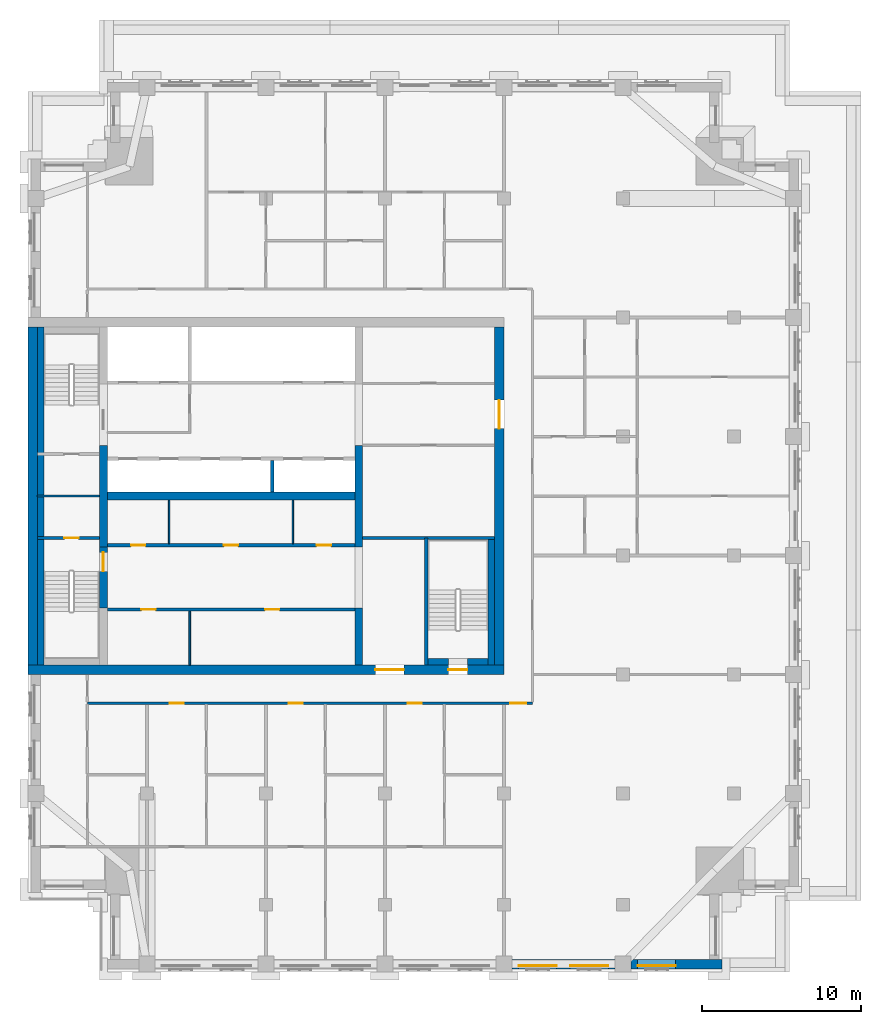
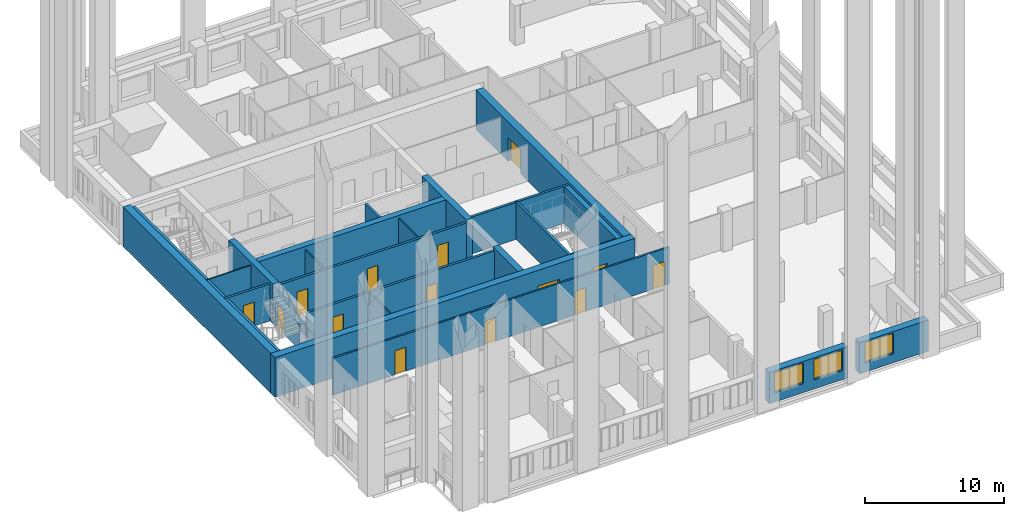
# One storey, part 4 of 12: 25 walls, 14 doors, 3 windows, 17 openings.
"""IFC4 building model written with IfcOpenShell, lengths in metres."""

from ifc_helpers import new_model, si_unit, direction, frame, frame_2d, origin, place, context, subcontext, project, spatial, rectangle, extrude, material, layer, layer_set, type_object, element, fill, save


model = new_model("IFC4")

# Units and contexts
model_context = context("Model", 3, precision=1e-05, world=origin(), true_north=direction((0.0, 1.0)))
body_context = subcontext(model_context, "Body", "Model", "MODEL_VIEW")
ifc_project = project(units=[si_unit("LENGTHUNIT", "METRE"), si_unit("AREAUNIT", "SQUARE_METRE"), si_unit("VOLUMEUNIT", "CUBIC_METRE"), si_unit("PLANEANGLEUNIT", "RADIAN"), si_unit("MASSUNIT", "GRAM", prefix="KILO")], contexts=[model_context])

# Site, building, storey
site_placement = place(None, origin())
site = spatial("IfcSite", under=ifc_project, at=site_placement, CompositionType="ELEMENT")
building_placement = place(site_placement, origin())
building = spatial("IfcBuilding", under=site, at=building_placement, Name="Tamorin Gate", CompositionType="ELEMENT")
storey_placement = place(building_placement, frame((0.0, 0.0, 219.699951171875)))
storey = spatial("IfcBuildingStorey", under=building, at=storey_placement, Name="L54", CompositionType="ELEMENT", Elevation=219.699951171875)

# Wall, openings, windows
ifc_material_1 = material(Name="Precast concrete C40/50", Category="concrete")
ifc_layer_1 = layer(ifc_material_1, 0.60009765625)
ifc_layer_set_1 = layer_set([ifc_layer_1], Name="Precast concrete C40/50")
wall_type_1 = type_object("IfcWallType", Name="Board-marked concrete facade panel 600", PredefinedType="SOLIDWALL", material=ifc_layer_set_1)
wall_1_placement = place(storey_placement, frame((60.5, 41.75, 0.0), z_axis=(0.0, 0.0, 1.0), x_axis=(1.0, 0.0, 0.0)))
wall_1 = element("IfcWall", 1, at=wall_1_placement, inside=storey, type_object=wall_type_1, Name="Facade panel", PredefinedType="SOLIDWALL", context=body_context, shape_type="SweptSolid", body=[
    extrude(rectangle(XDim=6.5, YDim=0.60009765625, at=frame_2d((3.25, 0.0))), origin(), (0.0, 0.0, 1.0), 2.75),
])
opening_1_placement = place(wall_1_placement, frame((0.425048828125, 0.0, 0.800048828125)))
opening_1 = element("IfcOpeningElement", 2, at=opening_1_placement, cuts=wall_1, Name="Opening WN1", PredefinedType="OPENING", context=body_context, shape_type="SweptSolid", body=[
    extrude(rectangle(XDim=2.39990234375, YDim=1.800048828125, at=frame_2d((1.199951171875, 0.89990234375))), frame((0.0, 0.31005859375, 0.0), z_axis=(0.0, -1.0, 0.0), x_axis=(1.0, 0.0, 0.0)), (0.0, 0.0, 1.0), 0.6201171875),
])
opening_2_placement = place(wall_1_placement, frame((3.675048828125, 0.0, 0.800048828125)))
opening_2 = element("IfcOpeningElement", 3, at=opening_2_placement, cuts=wall_1, Name="Opening WN1", PredefinedType="OPENING", context=body_context, shape_type="SweptSolid", body=[
    extrude(rectangle(XDim=2.39990234375, YDim=1.800048828125, at=frame_2d((1.199951171875, 0.89990234375))), frame((0.0, 0.31005859375, 0.0), z_axis=(0.0, -1.0, 0.0), x_axis=(1.0, 0.0, 0.0)), (0.0, 0.0, 1.0), 0.6201171875),
])
ifc_material_2 = material(Name="Clear glass in aluminium frame", Category="aluminium")
window_type = type_object("IfcWindowType", Name="Deep-set window 2400x1800", PartitioningType="SINGLE_PANEL", PredefinedType="WINDOW", material=ifc_material_2)
window_1_placement = place(opening_1_placement, origin())
window_1 = element("IfcWindow", 4, at=window_1_placement, inside=storey, type_object=window_type, Name="Deep-set window", OverallHeight=1.800048828125, OverallWidth=2.39990234375, PartitioningType="SINGLE_PANEL", PredefinedType="WINDOW", context=body_context, shape_type="SweptSolid", body=[
    extrude(rectangle(XDim=2.39990234375, YDim=1.800048828125, at=frame_2d((1.199951171875, 0.89990234375))), frame((0.0, -0.070068359375, 0.0), z_axis=(0.0, -1.0, 0.0), x_axis=(1.0, 0.0, 0.0)), (0.0, 0.0, 1.0), 0.06005859375),
])
fill(opening_1, window_1)
window_2_placement = place(opening_2_placement, origin())
window_2 = element("IfcWindow", 5, at=window_2_placement, inside=storey, type_object=window_type, Name="Deep-set window", OverallHeight=1.800048828125, OverallWidth=2.39990234375, PartitioningType="SINGLE_PANEL", PredefinedType="WINDOW", context=body_context, shape_type="SweptSolid", body=[
    extrude(rectangle(XDim=2.39990234375, YDim=1.800048828125, at=frame_2d((1.199951171875, 0.89990234375))), frame((0.0, -0.070068359375, 0.0), z_axis=(0.0, -1.0, 0.0), x_axis=(1.0, 0.0, 0.0)), (0.0, 0.0, 1.0), 0.06005859375),
])
fill(opening_2, window_2)

# Wall, opening, window
wall_2_placement = place(storey_placement, frame((68.0, 41.75, 0.0), z_axis=(0.0, 0.0, 1.0), x_axis=(1.0, 0.0, 0.0)))
wall_2 = element("IfcWall", 6, at=wall_2_placement, inside=storey, type_object=wall_type_1, Name="Facade panel", PredefinedType="SOLIDWALL", context=body_context, shape_type="SweptSolid", body=[
    extrude(rectangle(XDim=5.75, YDim=0.60009765625, at=frame_2d((2.875, 0.0))), origin(), (0.0, 0.0, 1.0), 2.75),
])
opening_3_placement = place(wall_2_placement, frame((0.425048828125, 0.0, 0.800048828125)))
opening_3 = element("IfcOpeningElement", 7, at=opening_3_placement, cuts=wall_2, Name="Opening WN1", PredefinedType="OPENING", context=body_context, shape_type="SweptSolid", body=[
    extrude(rectangle(XDim=2.39990234375, YDim=1.800048828125, at=frame_2d((1.199951171875, 0.89990234375))), frame((0.0, 0.31005859375, 0.0), z_axis=(0.0, -1.0, 0.0), x_axis=(1.0, 0.0, 0.0)), (0.0, 0.0, 1.0), 0.6201171875),
])
window_3_placement = place(opening_3_placement, origin())
window_3 = element("IfcWindow", 8, at=window_3_placement, inside=storey, type_object=window_type, Name="Deep-set window", OverallHeight=1.800048828125, OverallWidth=2.39990234375, PartitioningType="SINGLE_PANEL", PredefinedType="WINDOW", context=body_context, shape_type="SweptSolid", body=[
    extrude(rectangle(XDim=2.39990234375, YDim=1.800048828125, at=frame_2d((1.199951171875, 0.89990234375))), frame((0.0, -0.070068359375, 0.0), z_axis=(0.0, -1.0, 0.0), x_axis=(1.0, 0.0, 0.0)), (0.0, 0.0, 1.0), 0.06005859375),
])
fill(opening_3, window_3)

# Wall, openings, doors
ifc_material_3 = material(Name="Gypsum board partition")
ifc_layer_2 = layer(ifc_material_3, 0.14990234375)
ifc_layer_set_2 = layer_set([ifc_layer_2], Name="Corridor wall 150")
wall_type_2 = type_object("IfcWallType", Name="Corridor wall 150", PredefinedType="PARTITIONING", material=ifc_layer_set_2)
wall_3_placement = place(storey_placement, frame((33.75, 58.199951171875, 0.0), z_axis=(0.0, 0.0, 1.0), x_axis=(1.0, 0.0, 0.0)))
wall_3 = element("IfcWall", 9, at=wall_3_placement, inside=storey, type_object=wall_type_2, Name="Corridor wall 150", PredefinedType="PARTITIONING", context=body_context, shape_type="SweptSolid", body=[
    extrude(rectangle(XDim=28.050048828125, YDim=0.14990234375, at=frame_2d((14.02490234375, 0.0))), origin(), (0.0, 0.0, 1.0), 3.25),
])
opening_4_placement = place(wall_3_placement, frame((5.175048828125, 0.0, 0.0)))
opening_4 = element("IfcOpeningElement", 10, at=opening_4_placement, cuts=wall_3, Name="Opening DTF5005", PredefinedType="OPENING", context=body_context, shape_type="SweptSolid", body=[
    extrude(rectangle(XDim=0.89990234375, YDim=2.10009765625, at=frame_2d((0.449951171875, 1.050048828125))), frame((0.0, 0.0849609375, 0.0), z_axis=(0.0, -1.0, 0.0), x_axis=(1.0, 0.0, 0.0)), (0.0, 0.0, 1.0), 0.169921875),
])
opening_5_placement = place(wall_3_placement, frame((12.675048828125, 0.0, 0.0)))
opening_5 = element("IfcOpeningElement", 11, at=opening_5_placement, cuts=wall_3, Name="Opening DTF5009", PredefinedType="OPENING", context=body_context, shape_type="SweptSolid", body=[
    extrude(rectangle(XDim=0.89990234375, YDim=2.10009765625, at=frame_2d((0.449951171875, 1.050048828125))), frame((0.0, 0.0849609375, 0.0), z_axis=(0.0, -1.0, 0.0), x_axis=(1.0, 0.0, 0.0)), (0.0, 0.0, 1.0), 0.169921875),
])
opening_6_placement = place(wall_3_placement, frame((20.175048828125, 0.0, 0.0)))
opening_6 = element("IfcOpeningElement", 12, at=opening_6_placement, cuts=wall_3, Name="Opening DTF5014", PredefinedType="OPENING", context=body_context, shape_type="SweptSolid", body=[
    extrude(rectangle(XDim=0.89990234375, YDim=2.10009765625, at=frame_2d((0.449951171875, 1.050048828125))), frame((0.0, 0.0849609375, 0.0), z_axis=(0.0, -1.0, 0.0), x_axis=(1.0, 0.0, 0.0)), (0.0, 0.0, 1.0), 0.169921875),
])
opening_7_placement = place(wall_3_placement, frame((26.64990234375, 0.0, 0.0)))
opening_7 = element("IfcOpeningElement", 13, at=opening_7_placement, cuts=wall_3, Name="Opening DTF5018", PredefinedType="OPENING", context=body_context, shape_type="SweptSolid", body=[
    extrude(rectangle(XDim=1.0, YDim=2.10009765625, at=frame_2d((0.5, 1.050048828125))), frame((0.0, 0.0849609375, 0.0), z_axis=(0.0, -1.0, 0.0), x_axis=(1.0, 0.0, 0.0)), (0.0, 0.0, 1.0), 0.169921875),
])
ifc_material_4 = material(Name="Timber door leaf", Category="wood")
door_type_1 = type_object("IfcDoorType", Name="Door 1000 x 2100 FD30S", OperationType="NOTDEFINED", PredefinedType="DOOR", material=ifc_material_4)
door_1_placement = place(opening_7_placement, origin())
door_1 = element("IfcDoor", 14, at=door_1_placement, inside=storey, type_object=door_type_1, Name="Door DTF5018", OperationType="SINGLE_SWING_RIGHT", OverallHeight=2.10009765625, OverallWidth=1.0, PredefinedType="DOOR", context=body_context, shape_type="SweptSolid", body=[
    extrude(rectangle(XDim=1.0, YDim=2.10009765625, at=frame_2d((0.5, 1.050048828125))), frame((0.0, 0.02490234375, 0.0), z_axis=(0.0, -1.0, 0.0), x_axis=(1.0, 0.0, 0.0)), (0.0, 0.0, 1.0), 0.050048828125),
])
fill(opening_7, door_1)
door_type_2 = type_object("IfcDoorType", Name="Door 900 x 2100 FD30S", OperationType="NOTDEFINED", PredefinedType="DOOR", material=ifc_material_4)
door_2_placement = place(opening_4_placement, origin())
door_2 = element("IfcDoor", 15, at=door_2_placement, inside=storey, type_object=door_type_2, Name="Door DTF5005", OperationType="SINGLE_SWING_RIGHT", OverallHeight=2.10009765625, OverallWidth=0.89990234375, PredefinedType="DOOR", context=body_context, shape_type="SweptSolid", body=[
    extrude(rectangle(XDim=0.89990234375, YDim=2.10009765625, at=frame_2d((0.449951171875, 1.050048828125))), frame((0.0, 0.02490234375, 0.0), z_axis=(0.0, -1.0, 0.0), x_axis=(1.0, 0.0, 0.0)), (0.0, 0.0, 1.0), 0.050048828125),
])
fill(opening_4, door_2)
door_3_placement = place(opening_5_placement, origin())
door_3 = element("IfcDoor", 16, at=door_3_placement, inside=storey, type_object=door_type_2, Name="Door DTF5009", OperationType="SINGLE_SWING_RIGHT", OverallHeight=2.10009765625, OverallWidth=0.89990234375, PredefinedType="DOOR", context=body_context, shape_type="SweptSolid", body=[
    extrude(rectangle(XDim=0.89990234375, YDim=2.10009765625, at=frame_2d((0.449951171875, 1.050048828125))), frame((0.0, 0.02490234375, 0.0), z_axis=(0.0, -1.0, 0.0), x_axis=(1.0, 0.0, 0.0)), (0.0, 0.0, 1.0), 0.050048828125),
])
fill(opening_5, door_3)
door_4_placement = place(opening_6_placement, origin())
door_4 = element("IfcDoor", 17, at=door_4_placement, inside=storey, type_object=door_type_2, Name="Door DTF5014", OperationType="SINGLE_SWING_RIGHT", OverallHeight=2.10009765625, OverallWidth=0.89990234375, PredefinedType="DOOR", context=body_context, shape_type="SweptSolid", body=[
    extrude(rectangle(XDim=0.89990234375, YDim=2.10009765625, at=frame_2d((0.449951171875, 1.050048828125))), frame((0.0, 0.02490234375, 0.0), z_axis=(0.0, -1.0, 0.0), x_axis=(1.0, 0.0, 0.0)), (0.0, 0.0, 1.0), 0.050048828125),
])
fill(opening_6, door_4)

# Walls
ifc_material_5 = material(Name="Concrete C32/40", Category="concrete")
ifc_layer_3 = layer(ifc_material_5, 0.199951171875)
ifc_layer_set_3 = layer_set([ifc_layer_3], Name="Lift shaft wall 200 EI 120")
wall_type_3 = type_object("IfcWallType", Name="Lift shaft wall 200 EI 120", PredefinedType="SOLIDWALL", material=ifc_layer_set_3)
wall_4_placement = place(storey_placement, frame((45.39990234375, 71.5, 0.0), z_axis=(0.0, 0.0, 1.0), x_axis=(0.0, 1.0, 0.0)))
element("IfcWall", 18, at=wall_4_placement, inside=storey, type_object=wall_type_3, Name="Lift shaft wall", PredefinedType="SOLIDWALL", context=body_context, shape_type="SweptSolid", body=[
    extrude(rectangle(XDim=2.0, YDim=0.199951171875, at=frame_2d((1.0, 0.0))), origin(), (0.0, 0.0, 1.0), 3.5),
])
ifc_material_6 = material(Name="Concrete C50/60", Category="concrete")
ifc_layer_4 = layer(ifc_material_6, 0.5)
ifc_layer_set_4 = layer_set([ifc_layer_4], Name="RC core internal wall 500 C50/60")
wall_type_4 = type_object("IfcWallType", Name="RC core internal wall 500 C50/60", PredefinedType="SHEAR", material=ifc_layer_set_4)
wall_5_placement = place(storey_placement, frame((35.0, 71.25, 0.0), z_axis=(0.0, 0.0, 1.0), x_axis=(1.0, 0.0, 0.0)))
element("IfcWall", 19, at=wall_5_placement, inside=storey, type_object=wall_type_4, Name="Core spine wall L54", PredefinedType="SHEAR", context=body_context, shape_type="SweptSolid", body=[
    extrude(rectangle(XDim=15.60009765625, YDim=0.5, at=frame_2d((7.800048828125, 0.0))), origin(), (0.0, 0.0, 1.0), 3.5),
])
wall_6_placement = place(storey_placement, frame((34.75, 68.050048828125, 0.0), z_axis=(0.0, 0.0, 1.0), x_axis=(0.0, 1.0, 0.0)))
element("IfcWall", 20, at=wall_6_placement, inside=storey, type_object=wall_type_4, Name="Core cross wall L54", PredefinedType="SHEAR", context=body_context, shape_type="SweptSolid", body=[
    extrude(rectangle(XDim=6.39990234375, YDim=0.5, at=frame_2d((3.199951171875, 0.0))), origin(), (0.0, 0.0, 1.0), 3.5),
])
wall_7_placement = place(storey_placement, frame((50.85009765625, 60.60009765625, 0.0), z_axis=(0.0, 0.0, 1.0), x_axis=(0.0, 1.0, 0.0)))
element("IfcWall", 21, at=wall_7_placement, inside=storey, type_object=wall_type_4, Name="Core cross wall L54", PredefinedType="SHEAR", context=body_context, shape_type="SweptSolid", body=[
    extrude(rectangle(XDim=3.599853515625, YDim=0.5, at=frame_2d((1.7998046875, 0.0))), origin(), (0.0, 0.0, 1.0), 3.5),
])
wall_8_placement = place(storey_placement, frame((50.85009765625, 68.050048828125, 0.0), z_axis=(0.0, 0.0, 1.0), x_axis=(0.0, 1.0, 0.0)))
element("IfcWall", 22, at=wall_8_placement, inside=storey, type_object=wall_type_4, Name="Core cross wall L54", PredefinedType="SHEAR", context=body_context, shape_type="SweptSolid", body=[
    extrude(rectangle(XDim=6.39990234375, YDim=0.5, at=frame_2d((3.199951171875, 0.0))), origin(), (0.0, 0.0, 1.0), 3.5),
])

# Wall, openings, doors
ifc_layer_5 = layer(ifc_material_6, 0.60009765625)
ifc_layer_set_5 = layer_set([ifc_layer_5], Name="RC core wall 600 C50/60")
wall_type_5 = type_object("IfcWallType", Name="RC core wall 600 C50/60", PredefinedType="SHEAR", material=ifc_layer_set_5)
wall_9_placement = place(storey_placement, frame((30.0, 60.300048828125, 0.0), z_axis=(0.0, 0.0, 1.0), x_axis=(1.0, 0.0, 0.0)))
wall_9 = element("IfcWall", 23, at=wall_9_placement, inside=storey, type_object=wall_type_5, Name="Core wall L54", PredefinedType="SHEAR", context=body_context, shape_type="SweptSolid", body=[
    extrude(rectangle(XDim=30.0, YDim=0.60009765625, at=frame_2d((15.0, 0.0))), origin(), (0.0, 0.0, 1.0), 3.5),
])
opening_8_placement = place(wall_9_placement, frame((21.89990234375, 0.0, 0.0)))
opening_8 = element("IfcOpeningElement", 24, at=opening_8_placement, cuts=wall_9, Name="Opening DE1", PredefinedType="OPENING", context=body_context, shape_type="SweptSolid", body=[
    extrude(rectangle(XDim=1.800048828125, YDim=2.10009765625, at=frame_2d((0.89990234375, 1.050048828125))), frame((0.0, 0.31005859375, 0.0), z_axis=(0.0, -1.0, 0.0), x_axis=(1.0, 0.0, 0.0)), (0.0, 0.0, 1.0), 0.6201171875),
])
opening_9_placement = place(wall_9_placement, frame((26.5, 0.0, 0.0)))
opening_9 = element("IfcOpeningElement", 25, at=opening_9_placement, cuts=wall_9, Name="Opening DS1", PredefinedType="OPENING", context=body_context, shape_type="SweptSolid", body=[
    extrude(rectangle(XDim=1.199951171875, YDim=2.10009765625, at=frame_2d((0.60009765625, 1.050048828125))), frame((0.0, 0.31005859375, 0.0), z_axis=(0.0, -1.0, 0.0), x_axis=(1.0, 0.0, 0.0)), (0.0, 0.0, 1.0), 0.6201171875),
])
ifc_material_7 = material(Name="Steel fire door", Category="steel")
door_type_3 = type_object("IfcDoorType", Name="Lobby exit double door 1800 x 2100 EI 60", OperationType="DOUBLE_DOOR_SINGLE_SWING", PredefinedType="DOOR", material=ifc_material_7)
door_5_placement = place(opening_8_placement, origin())
door_5 = element("IfcDoor", 26, at=door_5_placement, inside=storey, type_object=door_type_3, Name="Lift lobby A exit door", OperationType="DOUBLE_DOOR_SINGLE_SWING", OverallHeight=2.10009765625, OverallWidth=1.800048828125, PredefinedType="DOOR", context=body_context, shape_type="SweptSolid", body=[
    extrude(rectangle(XDim=1.800048828125, YDim=2.10009765625, at=frame_2d((0.89990234375, 1.050048828125))), frame((0.0, 0.02490234375, 0.0), z_axis=(0.0, -1.0, 0.0), x_axis=(1.0, 0.0, 0.0)), (0.0, 0.0, 1.0), 0.050048828125),
])
fill(opening_8, door_5)
door_type_4 = type_object("IfcDoorType", Name="Stair door 1200 x 2100 EI 90", OperationType="SINGLE_SWING_LEFT", PredefinedType="DOOR", material=ifc_material_7)
door_6_placement = place(opening_9_placement, origin())
door_6 = element("IfcDoor", 27, at=door_6_placement, inside=storey, type_object=door_type_4, Name="ST3 door", OperationType="SINGLE_SWING_LEFT", OverallHeight=2.10009765625, OverallWidth=1.199951171875, PredefinedType="DOOR", context=body_context, shape_type="SweptSolid", body=[
    extrude(rectangle(XDim=1.199951171875, YDim=2.10009765625, at=frame_2d((0.60009765625, 1.050048828125))), frame((0.0, 0.02490234375, 0.0), z_axis=(0.0, -1.0, 0.0), x_axis=(1.0, 0.0, 0.0)), (0.0, 0.0, 1.0), 0.050048828125),
])
fill(opening_9, door_6)

# Wall
wall_10_placement = place(storey_placement, frame((30.300048828125, 60.60009765625, 0.0), z_axis=(0.0, 0.0, 1.0), x_axis=(0.0, 1.0, 0.0)))
element("IfcWall", 28, at=wall_10_placement, inside=storey, type_object=wall_type_5, Name="Core wall L54", PredefinedType="SHEAR", context=body_context, shape_type="SweptSolid", body=[
    extrude(rectangle(XDim=21.2998046875, YDim=0.60009765625, at=frame_2d((10.64990234375, 0.0))), origin(), (0.0, 0.0, 1.0), 3.5),
])

# Wall, opening, door
wall_11_placement = place(storey_placement, frame((59.699951171875, 60.60009765625, 0.0), z_axis=(0.0, 0.0, 1.0), x_axis=(0.0, 1.0, 0.0)))
wall_11 = element("IfcWall", 29, at=wall_11_placement, inside=storey, type_object=wall_type_5, Name="Core wall L54", PredefinedType="SHEAR", context=body_context, shape_type="SweptSolid", body=[
    extrude(rectangle(XDim=21.2998046875, YDim=0.60009765625, at=frame_2d((10.64990234375, 0.0))), origin(), (0.0, 0.0, 1.0), 3.5),
])
opening_10_placement = place(wall_11_placement, frame((14.89990234375, 0.0, 0.0)))
opening_10 = element("IfcOpeningElement", 30, at=opening_10_placement, cuts=wall_11, Name="Opening DE1", PredefinedType="OPENING", context=body_context, shape_type="SweptSolid", body=[
    extrude(rectangle(XDim=1.800048828125, YDim=2.10009765625, at=frame_2d((0.89990234375, 1.050048828125))), frame((0.0, 0.31005859375, 0.0), z_axis=(0.0, -1.0, 0.0), x_axis=(1.0, 0.0, 0.0)), (0.0, 0.0, 1.0), 0.6201171875),
])
door_7_placement = place(opening_10_placement, origin())
door_7 = element("IfcDoor", 31, at=door_7_placement, inside=storey, type_object=door_type_3, Name="Lift lobby B exit door", OperationType="DOUBLE_DOOR_SINGLE_SWING", OverallHeight=2.10009765625, OverallWidth=1.800048828125, PredefinedType="DOOR", context=body_context, shape_type="SweptSolid", body=[
    extrude(rectangle(XDim=1.800048828125, YDim=2.10009765625, at=frame_2d((0.89990234375, 1.050048828125))), frame((0.0, 0.02490234375, 0.0), z_axis=(0.0, -1.0, 0.0), x_axis=(1.0, 0.0, 0.0)), (0.0, 0.0, 1.0), 0.050048828125),
])
fill(opening_10, door_7)

# Wall
ifc_material_8 = material(Name="Fire-rated gypsum board partition")
ifc_layer_6 = layer(ifc_material_8, 0.10009765625)
ifc_layer_set_6 = layer_set([ifc_layer_6], Name="Riser partition 100 EI 120")
wall_type_6 = type_object("IfcWallType", Name="Riser partition 100 EI 120", PredefinedType="PARTITIONING", material=ifc_layer_set_6)
wall_12_placement = place(storey_placement, frame((30.60009765625, 71.25, 0.0), z_axis=(0.0, 0.0, 1.0), x_axis=(1.0, 0.0, 0.0)))
element("IfcWall", 32, at=wall_12_placement, inside=storey, type_object=wall_type_6, Name="Riser partition", PredefinedType="PARTITIONING", context=body_context, shape_type="SweptSolid", body=[
    extrude(rectangle(XDim=3.89990234375, YDim=0.10009765625, at=frame_2d((1.949951171875, 0.0))), origin(), (0.0, 0.0, 1.0), 3.25),
])

# Wall, openings, doors
ifc_layer_7 = layer(ifc_material_3, 0.199951171875)
ifc_layer_set_7 = layer_set([ifc_layer_7], Name="Service room face wall 200 EI 60")
wall_type_7 = type_object("IfcWallType", Name="Service room face wall 200 EI 60", PredefinedType="PARTITIONING", material=ifc_layer_set_7)
wall_13_placement = place(storey_placement, frame((35.0, 64.10009765625, 0.0), z_axis=(0.0, 0.0, 1.0), x_axis=(1.0, 0.0, 0.0)))
wall_13 = element("IfcWall", 33, at=wall_13_placement, inside=storey, type_object=wall_type_7, Name="Service room face wall", PredefinedType="PARTITIONING", context=body_context, shape_type="SweptSolid", body=[
    extrude(rectangle(XDim=15.60009765625, YDim=0.199951171875, at=frame_2d((7.800048828125, 0.0))), origin(), (0.0, 0.0, 1.0), 3.25),
])
opening_11_placement = place(wall_13_placement, frame((2.14990234375, 0.0, 0.0)))
opening_11 = element("IfcOpeningElement", 34, at=opening_11_placement, cuts=wall_13, Name="Opening DK1", PredefinedType="OPENING", context=body_context, shape_type="SweptSolid", body=[
    extrude(rectangle(XDim=0.89990234375, YDim=2.10009765625, at=frame_2d((0.449951171875, 1.050048828125))), frame((0.0, 0.10986328125, 0.0), z_axis=(0.0, -1.0, 0.0), x_axis=(1.0, 0.0, 0.0)), (0.0, 0.0, 1.0), 0.219970703125),
])
opening_12_placement = place(wall_13_placement, frame((9.949951171875, 0.0, 0.0)))
opening_12 = element("IfcOpeningElement", 35, at=opening_12_placement, cuts=wall_13, Name="Opening DK1", PredefinedType="OPENING", context=body_context, shape_type="SweptSolid", body=[
    extrude(rectangle(XDim=0.89990234375, YDim=2.10009765625, at=frame_2d((0.449951171875, 1.050048828125))), frame((0.0, 0.10986328125, 0.0), z_axis=(0.0, -1.0, 0.0), x_axis=(1.0, 0.0, 0.0)), (0.0, 0.0, 1.0), 0.219970703125),
])
ifc_material_9 = material(Name="Timber fire door", Category="wood")
door_type_5 = type_object("IfcDoorType", Name="Service room door 900 x 2100 EI 60", OperationType="SINGLE_SWING_LEFT", PredefinedType="DOOR", material=ifc_material_9)
door_8_placement = place(opening_11_placement, origin())
door_8 = element("IfcDoor", 36, at=door_8_placement, inside=storey, type_object=door_type_5, Name="Door Cleaner's store", OperationType="SINGLE_SWING_RIGHT", OverallHeight=2.10009765625, OverallWidth=0.89990234375, PredefinedType="DOOR", context=body_context, shape_type="SweptSolid", body=[
    extrude(rectangle(XDim=0.89990234375, YDim=2.10009765625, at=frame_2d((0.449951171875, 1.050048828125))), frame((0.0, 0.02490234375, 0.0), z_axis=(0.0, -1.0, 0.0), x_axis=(1.0, 0.0, 0.0)), (0.0, 0.0, 1.0), 0.050048828125),
])
fill(opening_11, door_8)
door_9_placement = place(opening_12_placement, origin())
door_9 = element("IfcDoor", 37, at=door_9_placement, inside=storey, type_object=door_type_5, Name="Door Linen store", OperationType="SINGLE_SWING_LEFT", OverallHeight=2.10009765625, OverallWidth=0.89990234375, PredefinedType="DOOR", context=body_context, shape_type="SweptSolid", body=[
    extrude(rectangle(XDim=0.89990234375, YDim=2.10009765625, at=frame_2d((0.449951171875, 1.050048828125))), frame((0.0, 0.02490234375, 0.0), z_axis=(0.0, -1.0, 0.0), x_axis=(1.0, 0.0, 0.0)), (0.0, 0.0, 1.0), 0.050048828125),
])
fill(opening_12, door_9)

wall_14_placement = place(storey_placement, frame((35.0, 68.14990234375, 0.0), z_axis=(0.0, 0.0, 1.0), x_axis=(1.0, 0.0, 0.0)))
wall_14 = element("IfcWall", 38, at=wall_14_placement, inside=storey, type_object=wall_type_7, Name="Service room face wall", PredefinedType="PARTITIONING", context=body_context, shape_type="SweptSolid", body=[
    extrude(rectangle(XDim=15.60009765625, YDim=0.199951171875, at=frame_2d((7.800048828125, 0.0))), origin(), (0.0, 0.0, 1.0), 3.25),
])
opening_13_placement = place(wall_14_placement, frame((1.5, 0.0, 0.0)))
opening_13 = element("IfcOpeningElement", 39, at=opening_13_placement, cuts=wall_14, Name="Opening DK1", PredefinedType="OPENING", context=body_context, shape_type="SweptSolid", body=[
    extrude(rectangle(XDim=0.89990234375, YDim=2.10009765625, at=frame_2d((0.449951171875, 1.050048828125))), frame((0.0, 0.10986328125, 0.0), z_axis=(0.0, -1.0, 0.0), x_axis=(1.0, 0.0, 0.0)), (0.0, 0.0, 1.0), 0.219970703125),
])
opening_14_placement = place(wall_14_placement, frame((7.35009765625, 0.0, 0.0)))
opening_14 = element("IfcOpeningElement", 40, at=opening_14_placement, cuts=wall_14, Name="Opening DK1", PredefinedType="OPENING", context=body_context, shape_type="SweptSolid", body=[
    extrude(rectangle(XDim=0.89990234375, YDim=2.10009765625, at=frame_2d((0.449951171875, 1.050048828125))), frame((0.0, 0.10986328125, 0.0), z_axis=(0.0, -1.0, 0.0), x_axis=(1.0, 0.0, 0.0)), (0.0, 0.0, 1.0), 0.219970703125),
])
opening_15_placement = place(wall_14_placement, frame((13.199951171875, 0.0, 0.0)))
opening_15 = element("IfcOpeningElement", 41, at=opening_15_placement, cuts=wall_14, Name="Opening DK1", PredefinedType="OPENING", context=body_context, shape_type="SweptSolid", body=[
    extrude(rectangle(XDim=0.89990234375, YDim=2.10009765625, at=frame_2d((0.449951171875, 1.050048828125))), frame((0.0, 0.10986328125, 0.0), z_axis=(0.0, -1.0, 0.0), x_axis=(1.0, 0.0, 0.0)), (0.0, 0.0, 1.0), 0.219970703125),
])
door_10_placement = place(opening_13_placement, origin())
door_10 = element("IfcDoor", 42, at=door_10_placement, inside=storey, type_object=door_type_5, Name="Door Housekeeping store", OperationType="SINGLE_SWING_RIGHT", OverallHeight=2.10009765625, OverallWidth=0.89990234375, PredefinedType="DOOR", context=body_context, shape_type="SweptSolid", body=[
    extrude(rectangle(XDim=0.89990234375, YDim=2.10009765625, at=frame_2d((0.449951171875, 1.050048828125))), frame((0.0, 0.02490234375, 0.0), z_axis=(0.0, -1.0, 0.0), x_axis=(1.0, 0.0, 0.0)), (0.0, 0.0, 1.0), 0.050048828125),
])
fill(opening_13, door_10)
door_11_placement = place(opening_14_placement, origin())
door_11 = element("IfcDoor", 43, at=door_11_placement, inside=storey, type_object=door_type_5, Name="Door Electrical and IT room", OperationType="SINGLE_SWING_LEFT", OverallHeight=2.10009765625, OverallWidth=0.89990234375, PredefinedType="DOOR", context=body_context, shape_type="SweptSolid", body=[
    extrude(rectangle(XDim=0.89990234375, YDim=2.10009765625, at=frame_2d((0.449951171875, 1.050048828125))), frame((0.0, 0.02490234375, 0.0), z_axis=(0.0, -1.0, 0.0), x_axis=(1.0, 0.0, 0.0)), (0.0, 0.0, 1.0), 0.050048828125),
])
fill(opening_14, door_11)
door_12_placement = place(opening_15_placement, origin())
door_12 = element("IfcDoor", 44, at=door_12_placement, inside=storey, type_object=door_type_5, Name="Door Linen store", OperationType="SINGLE_SWING_RIGHT", OverallHeight=2.10009765625, OverallWidth=0.89990234375, PredefinedType="DOOR", context=body_context, shape_type="SweptSolid", body=[
    extrude(rectangle(XDim=0.89990234375, YDim=2.10009765625, at=frame_2d((0.449951171875, 1.050048828125))), frame((0.0, 0.02490234375, 0.0), z_axis=(0.0, -1.0, 0.0), x_axis=(1.0, 0.0, 0.0)), (0.0, 0.0, 1.0), 0.050048828125),
])
fill(opening_15, door_12)

# Walls
ifc_layer_8 = layer(ifc_material_3, 0.10009765625)
ifc_layer_set_8 = layer_set([ifc_layer_8], Name="Service room partition 100 EI 60")
wall_type_8 = type_object("IfcWallType", Name="Service room partition 100 EI 60", PredefinedType="PARTITIONING", material=ifc_layer_set_8)
wall_15_placement = place(storey_placement, frame((40.199951171875, 60.60009765625, 0.0), z_axis=(0.0, 0.0, 1.0), x_axis=(0.0, 1.0, 0.0)))
element("IfcWall", 45, at=wall_15_placement, inside=storey, type_object=wall_type_8, Name="Service room partition", PredefinedType="PARTITIONING", context=body_context, shape_type="SweptSolid", body=[
    extrude(rectangle(XDim=3.39990234375, YDim=0.10009765625, at=frame_2d((1.699951171875, 0.0))), origin(), (0.0, 0.0, 1.0), 3.25),
])
for number, where, z_axis, x_axis, name in (
    (46, (38.89990234375, 68.25, 0.0), (0.0, 0.0, 1.0), (0.0, 1.0, 0.0), "Service room partition"),
    (47, (46.699951171875, 68.25, 0.0), (0.0, 0.0, 1.0), (0.0, 1.0, 0.0), "Service room partition"),
):
    element("IfcWall", number, at=place(storey_placement, frame(where, z_axis=z_axis, x_axis=x_axis)), inside=storey, type_object=wall_type_8, Name=name, PredefinedType="PARTITIONING", context=body_context, shape_type="SweptSolid", body=[
        extrude(rectangle(XDim=2.75, YDim=0.10009765625, at=frame_2d((1.375, 0.0))), origin(), (0.0, 0.0, 1.0), 3.25),
    ])

# Wall, opening, door
ifc_material_10 = material(Name="Concrete C40/50", Category="concrete")
ifc_layer_9 = layer(ifc_material_10, 0.199951171875)
ifc_layer_set_9 = layer_set([ifc_layer_9], Name="Stair enclosure wall 200 EI 120 C40/50")
wall_type_9 = type_object("IfcWallType", Name="Stair enclosure wall 200 EI 120 C40/50", PredefinedType="SOLIDWALL", material=ifc_layer_set_9)
wall_16_placement = place(storey_placement, frame((30.60009765625, 68.60009765625, 0.0), z_axis=(0.0, 0.0, 1.0), x_axis=(1.0, 0.0, 0.0)))
wall_16 = element("IfcWall", 48, at=wall_16_placement, inside=storey, type_object=wall_type_9, Name="Stair enclosure wall", PredefinedType="SOLIDWALL", context=body_context, shape_type="SweptSolid", body=[
    extrude(rectangle(XDim=3.89990234375, YDim=0.199951171875, at=frame_2d((1.949951171875, 0.0))), origin(), (0.0, 0.0, 1.0), 3.25),
])
opening_16_placement = place(wall_16_placement, frame((1.699951171875, 0.0, 0.0)))
opening_16 = element("IfcOpeningElement", 49, at=opening_16_placement, cuts=wall_16, Name="Opening DR1", PredefinedType="OPENING", context=body_context, shape_type="SweptSolid", body=[
    extrude(rectangle(XDim=0.89990234375, YDim=2.10009765625, at=frame_2d((0.449951171875, 1.050048828125))), frame((0.0, 0.10986328125, 0.0), z_axis=(0.0, -1.0, 0.0), x_axis=(1.0, 0.0, 0.0)), (0.0, 0.0, 1.0), 0.219970703125),
])
door_type_6 = type_object("IfcDoorType", Name="Riser access door 900 x 2100 EI 120", OperationType="SINGLE_SWING_LEFT", PredefinedType="DOOR", material=ifc_material_7)
door_13_placement = place(opening_16_placement, origin())
door_13 = element("IfcDoor", 50, at=door_13_placement, inside=storey, type_object=door_type_6, Name="Electrical riser door", OperationType="SINGLE_SWING_LEFT", OverallHeight=2.10009765625, OverallWidth=0.89990234375, PredefinedType="DOOR", context=body_context, shape_type="SweptSolid", body=[
    extrude(rectangle(XDim=0.89990234375, YDim=2.10009765625, at=frame_2d((0.449951171875, 1.050048828125))), frame((0.0, 0.02490234375, 0.0), z_axis=(0.0, -1.0, 0.0), x_axis=(1.0, 0.0, 0.0)), (0.0, 0.0, 1.0), 0.050048828125),
])
fill(opening_16, door_13)

# Walls
wall_17_placement = place(storey_placement, frame((55.10009765625, 60.60009765625, 0.0), z_axis=(0.0, 0.0, 1.0), x_axis=(0.0, 1.0, 0.0)))
element("IfcWall", 51, at=wall_17_placement, inside=storey, type_object=wall_type_9, Name="Stair enclosure wall", PredefinedType="SOLIDWALL", context=body_context, shape_type="SweptSolid", body=[
    extrude(rectangle(XDim=8.0, YDim=0.199951171875, at=frame_2d((4.0, 0.0))), origin(), (0.0, 0.0, 1.0), 3.25),
])
wall_18_placement = place(storey_placement, frame((51.10009765625, 68.60009765625, 0.0), z_axis=(0.0, 0.0, 1.0), x_axis=(1.0, 0.0, 0.0)))
element("IfcWall", 52, at=wall_18_placement, inside=storey, type_object=wall_type_9, Name="Stair enclosure wall", PredefinedType="SOLIDWALL", context=body_context, shape_type="SweptSolid", body=[
    extrude(rectangle(XDim=8.2998046875, YDim=0.199951171875, at=frame_2d((4.14990234375, 0.0))), origin(), (0.0, 0.0, 1.0), 3.25),
])
ifc_layer_10 = layer(ifc_material_6, 0.39990234375)
ifc_layer_set_10 = layer_set([ifc_layer_10], Name="Stair lining wall 400 EI 120 C50/60")
wall_type_10 = type_object("IfcWallType", Name="Stair lining wall 400 EI 120 C50/60", PredefinedType="SOLIDWALL", material=ifc_layer_set_10)
wall_19_placement = place(storey_placement, frame((30.800048828125, 60.60009765625, 0.0), z_axis=(0.0, 0.0, 1.0), x_axis=(0.0, 1.0, 0.0)))
element("IfcWall", 53, at=wall_19_placement, inside=storey, type_object=wall_type_10, Name="Stair lining wall", PredefinedType="SOLIDWALL", context=body_context, shape_type="SweptSolid", body=[
    extrude(rectangle(XDim=21.2998046875, YDim=0.39990234375, at=frame_2d((10.64990234375, 0.0))), origin(), (0.0, 0.0, 1.0), 3.25),
])
for number, where, z_axis, x_axis, name in (
    (54, (55.199951171875, 60.800048828125, 0.0), (0.0, 0.0, 1.0), (1.0, 0.0, 0.0), "Stair lining wall"),
    (55, (57.699951171875, 60.800048828125, 0.0), (0.0, 0.0, 1.0), (1.0, 0.0, 0.0), "Stair lining wall"),
):
    element("IfcWall", number, at=place(storey_placement, frame(where, z_axis=z_axis, x_axis=x_axis)), inside=storey, type_object=wall_type_10, Name=name, PredefinedType="SOLIDWALL", context=body_context, shape_type="SweptSolid", body=[
        extrude(rectangle(XDim=1.300048828125, YDim=0.39990234375, at=frame_2d((0.64990234375, 0.0))), origin(), (0.0, 0.0, 1.0), 3.25),
    ])
wall_20_placement = place(storey_placement, frame((59.199951171875, 60.60009765625, 0.0), z_axis=(0.0, 0.0, 1.0), x_axis=(0.0, 1.0, 0.0)))
element("IfcWall", 56, at=wall_20_placement, inside=storey, type_object=wall_type_10, Name="Stair lining wall", PredefinedType="SOLIDWALL", context=body_context, shape_type="SweptSolid", body=[
    extrude(rectangle(XDim=7.89990234375, YDim=0.39990234375, at=frame_2d((3.949951171875, 0.0))), origin(), (0.0, 0.0, 1.0), 3.25),
])

# Wall, opening, door
ifc_layer_11 = layer(ifc_material_5, 0.5)
ifc_layer_set_11 = layer_set([ifc_layer_11], Name="Stair lobby infill wall 500 EI 120")
wall_type_11 = type_object("IfcWallType", Name="Stair lobby infill wall 500 EI 120", PredefinedType="SOLIDWALL", material=ifc_layer_set_11)
wall_21_placement = place(storey_placement, frame((34.75, 64.199951171875, 0.0), z_axis=(0.0, 0.0, 1.0), x_axis=(0.0, 1.0, 0.0)))
wall_21 = element("IfcWall", 57, at=wall_21_placement, inside=storey, type_object=wall_type_11, Name="Stair lobby infill wall", PredefinedType="SOLIDWALL", context=body_context, shape_type="SweptSolid", body=[
    extrude(rectangle(XDim=3.85009765625, YDim=0.5, at=frame_2d((1.925048828125, 0.0))), origin(), (0.0, 0.0, 1.0), 2.300048828125),
])
opening_17_placement = place(wall_21_placement, frame((2.300048828125, 0.0, 0.0)))
opening_17 = element("IfcOpeningElement", 58, at=opening_17_placement, cuts=wall_21, Name="Opening DS1", PredefinedType="OPENING", context=body_context, shape_type="SweptSolid", body=[
    extrude(rectangle(XDim=1.199951171875, YDim=2.10009765625, at=frame_2d((0.60009765625, 1.050048828125))), frame((0.0, 0.260009765625, 0.0), z_axis=(0.0, -1.0, 0.0), x_axis=(1.0, 0.0, 0.0)), (0.0, 0.0, 1.0), 0.52001953125),
])
door_14_placement = place(opening_17_placement, origin())
door_14 = element("IfcDoor", 59, at=door_14_placement, inside=storey, type_object=door_type_4, Name="ST1 door", OperationType="SINGLE_SWING_LEFT", OverallHeight=2.10009765625, OverallWidth=1.199951171875, PredefinedType="DOOR", context=body_context, shape_type="SweptSolid", body=[
    extrude(rectangle(XDim=1.199951171875, YDim=2.10009765625, at=frame_2d((0.60009765625, 1.050048828125))), frame((0.0, 0.02490234375, 0.0), z_axis=(0.0, -1.0, 0.0), x_axis=(1.0, 0.0, 0.0)), (0.0, 0.0, 1.0), 0.050048828125),
])
fill(opening_17, door_14)

save(model, "model.ifc")
